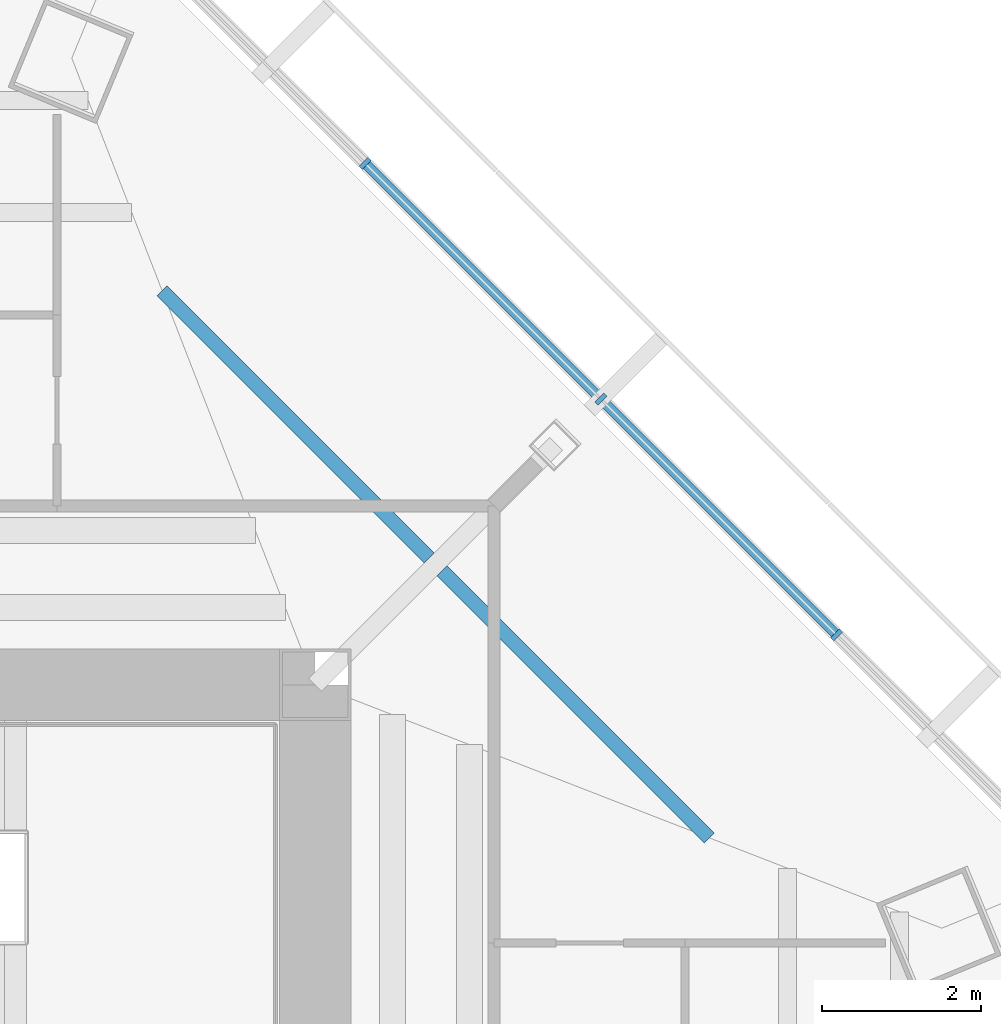
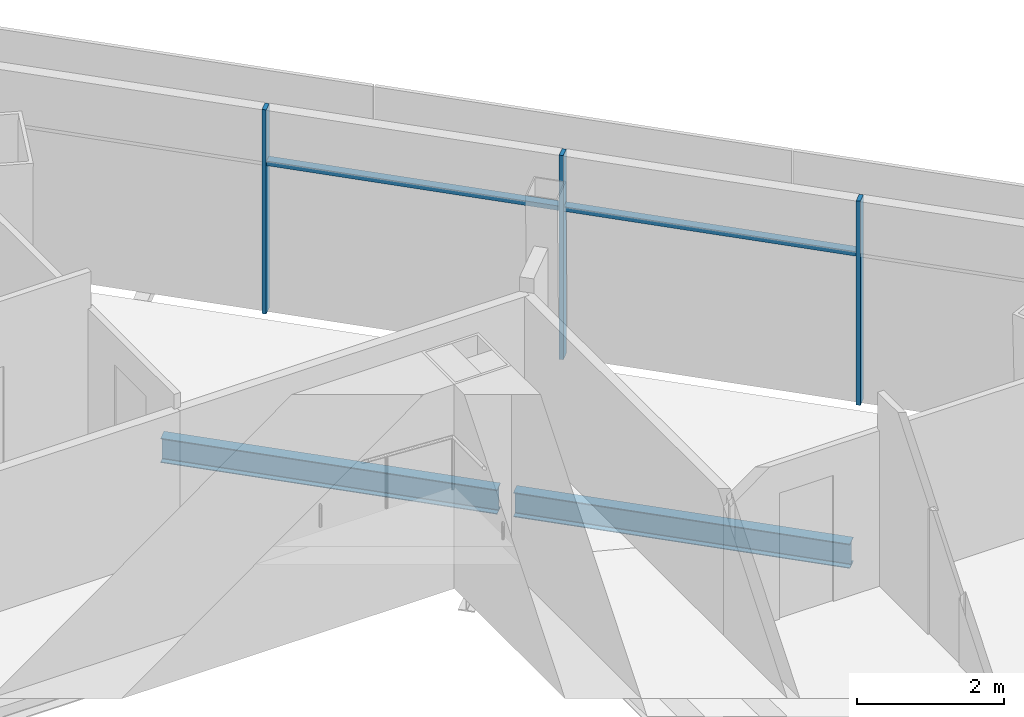
# One storey, part 7 of 15: 5 members, 2 beams, 1 element without a shape of its own.
"""IFC4 building model written with IfcOpenShell, lengths in metres."""

from ifc_helpers import new_model, si_unit, direction, frame, origin, origin_2d, place, context, subcontext, project, spatial, rectangle, i_section, extrude, source, transform, mapped, material, material_profile, profile_set, type_object, type_shapes, element, aggregate, save


model = new_model("IFC4")

# Units and contexts
model_context = context("Model", 3, precision=1e-05, world=origin(), true_north=direction((0.0, 1.0)))
body_context = subcontext(model_context, "Body", "Model", "MODEL_VIEW")
ifc_project = project(units=[si_unit("LENGTHUNIT", "METRE"), si_unit("AREAUNIT", "SQUARE_METRE"), si_unit("VOLUMEUNIT", "CUBIC_METRE"), si_unit("PLANEANGLEUNIT", "RADIAN"), si_unit("MASSUNIT", "GRAM", prefix="KILO")], contexts=[model_context])

# Site, building, storey
site_placement = place(None, origin())
site = spatial("IfcSite", under=ifc_project, at=site_placement, CompositionType="ELEMENT")
building_placement = place(site_placement, origin())
building = spatial("IfcBuilding", under=site, at=building_placement, Name="Mashrafa Tower", CompositionType="ELEMENT")
storey_placement = place(building_placement, frame((0.0, 0.0, 270.800048828125)))
storey = spatial("IfcBuildingStorey", under=building, at=storey_placement, Name="L65", CompositionType="ELEMENT", Elevation=270.800048828125)

# Beams
ifc_material_1 = material(Name="Steel ASTM A992", Category="steel")
ifc_material_profile_1 = material_profile(ifc_material_1, i_section(OverallWidth=0.177734375, OverallDepth=0.406494140625, WebThickness=0.0078125, FlangeThickness=0.012939453125, FilletRadius=0.01025390625, at=origin_2d()), Name="W16X40")
ifc_profile_set_1 = profile_set([ifc_material_profile_1], Name="Steel ASTM A992")
beam_type = type_object("IfcBeamType", Name="Beam W16X40", PredefinedType="BEAM", material=ifc_profile_set_1)
for number, where, z_axis, x_axis, name in (
    (1, (8.87451171875, 15.75634765625, -0.4033203125), (0.70713247034, -0.7070810911, 0.0), (0.7070810911, 0.70713247034, 0.0), "Floor beam L65 027"),
    (2, (12.396484375, 12.234619140625, -0.4033203125), (0.7070810911, -0.70713247034, 0.0), (0.70713247034, 0.7070810911, 0.0), "Floor beam L65 033"),
):
    element("IfcBeam", number, at=place(storey_placement, frame(where, z_axis=z_axis, x_axis=x_axis)), inside=storey, type_object=beam_type, Name=name, PredefinedType="BEAM", context=body_context, shape_type="SweptSolid", body=[
        extrude(i_section(OverallWidth=0.177734375, OverallDepth=0.406494140625, WebThickness=0.0078125, FlangeThickness=0.012939453125, FilletRadius=0.01025390625, at=origin_2d()), origin(), (0.0, 0.0, 1.0), 4.751708984375),
    ])

# Curtain wall, members
ifc_material_2 = material(Name="Unitised aluminium curtain wall", Category="aluminium")
curtain_wall_type = type_object("IfcCurtainWallType", Name="Apartment curtain wall, zone 4 CW-D 160 deep", PredefinedType="NOTDEFINED", material=ifc_material_2)
curtain_wall_placement = place(storey_placement, origin())
curtain_wall = element("IfcCurtainWall", 3, at=curtain_wall_placement, inside=storey, type_object=curtain_wall_type, Name="Apartment curtain wall, zone 4 L65 north-east", PredefinedType="NOTDEFINED")
ifc_material_3 = material(Name="Extruded aluminium mullion", Category="aluminium")
ifc_material_profile_2 = material_profile(ifc_material_3, rectangle(XDim=0.159912109375, YDim=0.06005859375, at=origin_2d()), Name="Mullion 60x160")
ifc_profile_set_2 = profile_set([ifc_material_profile_2], Name="Extruded aluminium mullion")
member_type_1 = type_object("IfcMemberType", Name="Mullion CW-D 60 x 160", PredefinedType="MULLION", material=ifc_profile_set_2)
shared_shape_1 = source(origin(), body_context, "Body", "SweptSolid", [
    extrude(rectangle(XDim=0.159912109375, YDim=0.06005859375, at=origin_2d()), origin(), (0.0, 0.0, 1.0), 3.39990234375),
])
type_shapes(member_type_1, [shared_shape_1])
member_1_placement = place(storey_placement, frame((17.358154296875, 11.427001953125, 0.0), z_axis=(0.0, 0.0, 1.0), x_axis=(-0.707106781187, -0.707106781187, 0.0)))
member_1 = element("IfcMember", 4, at=member_1_placement, type_object=member_type_1, Name="CW-D mullion 2", PredefinedType="MULLION", context=body_context, shape_type="MappedRepresentation", body=[
    mapped(shared_shape_1, transform((0.0, 0.0, 0.0))),
])
member_2_placement = place(storey_placement, frame((14.392578125, 14.392578125, 0.0), z_axis=(0.0, 0.0, 1.0), x_axis=(-0.707106781187, -0.707106781187, 0.0)))
member_2 = element("IfcMember", 5, at=member_2_placement, type_object=member_type_1, Name="CW-D mullion 3", PredefinedType="MULLION", context=body_context, shape_type="MappedRepresentation", body=[
    mapped(shared_shape_1, transform((0.0, 0.0, 0.0))),
])
member_3_placement = place(storey_placement, frame((11.427001953125, 17.358154296875, 0.0), z_axis=(0.0, 0.0, 1.0), x_axis=(-0.707106781187, -0.707106781187, 0.0)))
member_3 = element("IfcMember", 6, at=member_3_placement, type_object=member_type_1, Name="CW-D mullion 4", PredefinedType="MULLION", context=body_context, shape_type="MappedRepresentation", body=[
    mapped(shared_shape_1, transform((0.0, 0.0, 0.0))),
])
ifc_material_4 = material(Name="Extruded aluminium transom", Category="aluminium")
ifc_material_profile_3 = material_profile(ifc_material_4, rectangle(XDim=0.1279296875, YDim=0.074951171875, at=origin_2d()), Name="Transom 75x128")
ifc_profile_set_3 = profile_set([ifc_material_profile_3], Name="Extruded aluminium transom")
member_type_2 = type_object("IfcMemberType", Name="Transom CW-D 75 x 128", PredefinedType="MULLION", material=ifc_profile_set_3)
shared_shape_2 = source(origin(), body_context, "Body", "SweptSolid", [
    extrude(rectangle(XDim=0.1279296875, YDim=0.074951171875, at=origin_2d()), origin(), (0.0, 0.0, 1.0), 4.1337890625),
])
type_shapes(member_type_2, [shared_shape_2])
member_4_placement = place(storey_placement, frame((17.3369140625, 11.4482421875, 2.5), z_axis=(-0.707106781187, 0.707106781187, 0.0), x_axis=(-0.707106781187, -0.707106781187, 0.0)))
member_4 = element("IfcMember", 7, at=member_4_placement, type_object=member_type_2, Name="CW-D transom 2", PredefinedType="MULLION", context=body_context, shape_type="MappedRepresentation", body=[
    mapped(shared_shape_2, transform((0.0, 0.0, 0.0))),
])
member_5_placement = place(storey_placement, frame((14.371337890625, 14.413818359375, 2.5), z_axis=(-0.707106781187, 0.707106781187, 0.0), x_axis=(-0.707106781187, -0.707106781187, 0.0)))
member_5 = element("IfcMember", 8, at=member_5_placement, type_object=member_type_2, Name="CW-D transom 3", PredefinedType="MULLION", context=body_context, shape_type="MappedRepresentation", body=[
    mapped(shared_shape_2, transform((0.0, 0.0, 0.0))),
])
aggregate(curtain_wall, [member_1, member_2, member_3, member_4, member_5])

save(model, "model.ifc")
